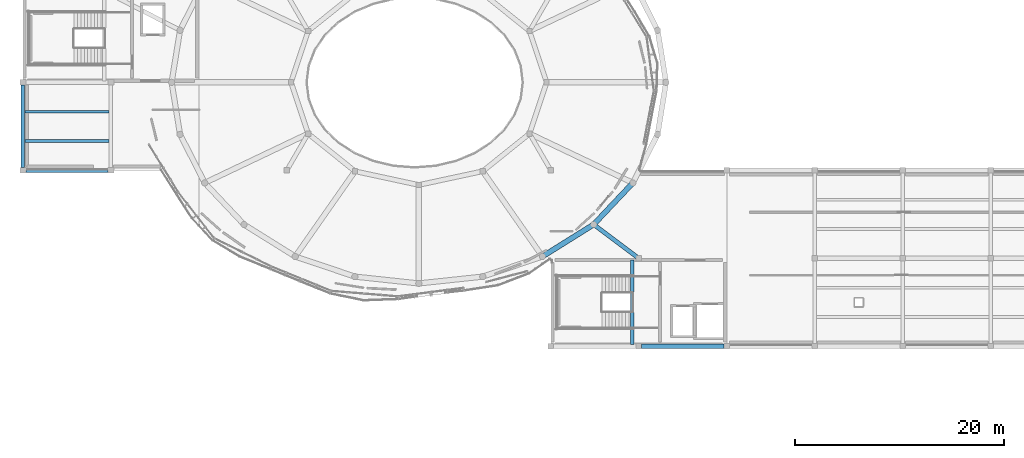
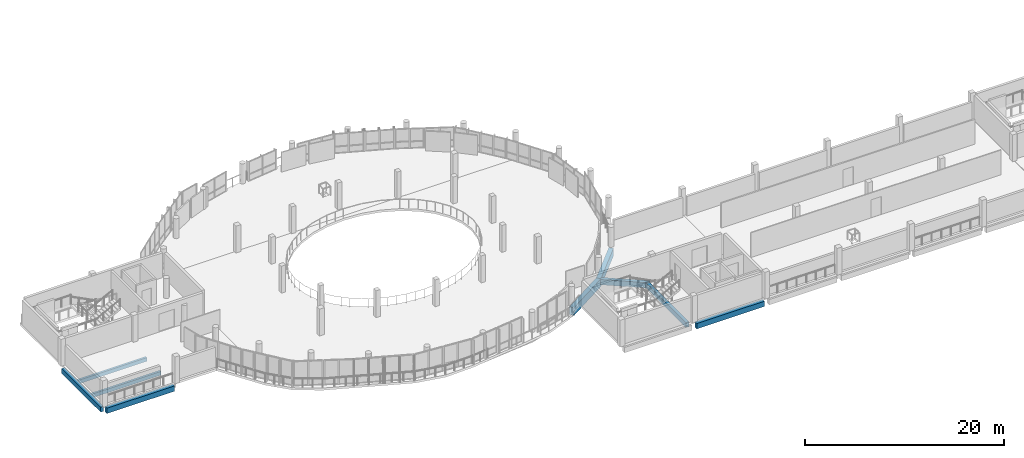
# One storey, part 10 of 43: 9 beams.
"""IFC4 building model written with IfcOpenShell, lengths in metres."""

import ifcopenshell
import ifcopenshell.guid

model = None  # the IFC model being written
_history = None  # IfcOwnerHistory: only IFC2X3 demands one
_inside = {}  # id of a spatial element -> (the spatial element, [elements in it])
_under = {}  # id of a project, library or spatial element -> (it, [spatial elements below it])
_declared = {}  # id of a project -> (the project, [libraries it declares])
_typed = {}  # id of a type object -> (the type object, [elements of that type])
_made_of = {}  # id of a material, layer set ... -> (it, [elements and type objects made of it])


def new_model(schema):
    """Start an empty IFC model of exactly this schema.

    Asked for "IFC4X3", IfcOpenShell would pick the latest addendum, in which some entities
    have other attributes; the version numbers below select the first issue.
    IFC2X3 requires an IfcOwnerHistory on every rooted entity: one is made here for all.
    """
    global model, _history
    if schema == "IFC4X3":
        model = ifcopenshell.file(schema_version=(4, 3, 0, 0))
    else:
        model = ifcopenshell.file(schema=schema)
    _inside.clear()
    _under.clear()
    _declared.clear()
    _typed.clear()
    _made_of.clear()
    _history = None
    if model.schema == "IFC2X3":
        org = make("IfcOrganization", Name="unknown")
        user = make(
            "IfcPersonAndOrganization",
            ThePerson=make("IfcPerson", FamilyName="unknown"),
            TheOrganization=org,
        )
        app = make(
            "IfcApplication",
            ApplicationDeveloper=org,
            Version="unknown",
            ApplicationFullName="unknown",
            ApplicationIdentifier="unknown",
        )
        _history = make(
            "IfcOwnerHistory",
            OwningUser=user,
            OwningApplication=app,
            ChangeAction="ADDED",
            CreationDate=0,
        )
    return model


def make(cls, **values):
    """One entity of the class cls with the attributes given. An attribute that is None is left unset."""
    return model.create_entity(
        cls, **{name: value for name, value in values.items() if value is not None}
    )


def rooted(cls, **values):
    """An entity with a GlobalId (a new one), such as an element, a storey or a relation."""
    return make(cls, GlobalId=ifcopenshell.guid.new(), OwnerHistory=_history, **values)


def si_unit(unit_type, name, prefix=None):
    """IfcSIUnit, for example si_unit("LENGTHUNIT", "METRE", prefix="MILLI")."""
    return make("IfcSIUnit", UnitType=unit_type, Prefix=prefix, Name=name)


def derived_unit(unit_type, elements):
    """IfcDerivedUnit: a product of units, each with its exponent."""
    return make(
        "IfcDerivedUnit",
        Elements=[
            make("IfcDerivedUnitElement", Unit=unit, Exponent=power)
            for unit, power in elements
        ],
        UnitType=unit_type,
    )


def assignment(units):
    """IfcUnitAssignment: the units of a project."""
    return None if units is None else make("IfcUnitAssignment", Units=units)


def point(xyz):
    """IfcCartesianPoint."""
    return None if xyz is None else make("IfcCartesianPoint", Coordinates=xyz)


def direction(xyz):
    """IfcDirection."""
    return None if xyz is None else make("IfcDirection", DirectionRatios=xyz)


def frame(location, z_axis=None, x_axis=None):
    """IfcAxis2Placement3D, a coordinate frame: its origin and axes. An axis left out is left unset."""
    return make(
        "IfcAxis2Placement3D",
        Location=point(location),
        Axis=direction(z_axis),
        RefDirection=direction(x_axis),
    )


def frame_2d(location, x_axis=None):
    """IfcAxis2Placement2D, a coordinate frame in the plane: its origin and x axis."""
    return make(
        "IfcAxis2Placement2D", Location=point(location), RefDirection=direction(x_axis)
    )


def origin():
    """The frame at (0, 0, 0) with its axes left unset."""
    return frame((0.0, 0.0, 0.0))


def origin_2d():
    """The frame at (0, 0) in the plane with its x axis left unset."""
    return frame_2d((0.0, 0.0))


def place(relative_to, where):
    """IfcLocalPlacement: puts the frame where relative to a parent placement (None: the world)."""
    return make(
        "IfcLocalPlacement", PlacementRelTo=relative_to, RelativePlacement=where
    )


def context(
    kind, dimensions, precision=None, world=None, true_north=None, identifier=None
):
    """IfcGeometricRepresentationContext, for example the 3D "Model" context."""
    return make(
        "IfcGeometricRepresentationContext",
        ContextIdentifier=identifier,
        ContextType=kind,
        CoordinateSpaceDimension=dimensions,
        Precision=precision,
        WorldCoordinateSystem=world,
        TrueNorth=true_north,
    )


def subcontext(parent, identifier, kind, view, scale=None):
    """IfcGeometricRepresentationSubContext, for example "Body" below "Model"."""
    return make(
        "IfcGeometricRepresentationSubContext",
        ContextIdentifier=identifier,
        ContextType=kind,
        ParentContext=parent,
        TargetScale=scale,
        TargetView=view,
    )


def project(units=None, contexts=None):
    """IfcProject with its units and contexts."""
    return rooted(
        "IfcProject",
        Name="project",
        RepresentationContexts=contexts,
        UnitsInContext=assignment(units),
    )


def spatial(cls, under=None, at=None, **own):
    """A site, building, storey or space (cls), placed at a placement, below another one or the project."""
    s = rooted(cls, ObjectPlacement=at, **own)
    if under is not None:
        _under.setdefault(under.id(), (under, []))[1].append(s)
    return s


def profile(cls, at=None, kind="AREA", **sizes):
    """A parametric profile (cls). Its sizes go by their IFC names, for example OverallWidth=200.0."""
    return make(cls, ProfileType=kind, Position=at, **sizes)


def rectangle(**sizes):
    """IfcRectangleProfileDef."""
    return profile("IfcRectangleProfileDef", **sizes)


def extrude(swept, where, along, depth):
    """IfcExtrudedAreaSolid: the profile swept, set in the frame where, extruded along a direction by depth."""
    return make(
        "IfcExtrudedAreaSolid",
        SweptArea=swept,
        Position=where,
        ExtrudedDirection=direction(along),
        Depth=depth,
    )


def shape(context_of_items, identifier, shape_type, items):
    """IfcShapeRepresentation: the items that make up one representation, for example the "Body"."""
    return make(
        "IfcShapeRepresentation",
        ContextOfItems=context_of_items,
        RepresentationIdentifier=identifier,
        RepresentationType=shape_type,
        Items=items,
    )


def material(Name=None, Category=None):
    """IfcMaterial."""
    return make("IfcMaterial", Name=Name, Category=Category)


def material_profile(
    of_material, cross_section, Name=None, Category=None, Priority=None
):
    """IfcMaterialProfile: a cross section and its material."""
    return make(
        "IfcMaterialProfile",
        Name=Name,
        Material=of_material,
        Profile=cross_section,
        Priority=Priority,
        Category=Category,
    )


def profile_set(profiles, Name=None, composite=None):
    """IfcMaterialProfileSet."""
    return make(
        "IfcMaterialProfileSet",
        Name=Name,
        MaterialProfiles=profiles,
        CompositeProfile=composite,
    )


def made_of(thing, what):
    """Note that an element or type object is made of a material, layer set ...; save() writes the relation."""
    if what is not None:
        _made_of.setdefault(what.id(), (what, []))[1].append(thing)
    return thing


def type_object(cls, material=None, **own):
    """A type object (cls), such as IfcWallType, which elements share."""
    return made_of(rooted(cls, **own), material)


def element(
    cls,
    number,
    at=None,
    inside=None,
    cuts=None,
    type_object=None,
    material=None,
    context=None,
    identifier="Body",
    shape_type=None,
    held_by="IfcProductDefinitionShape",
    body=None,
    shapes=None,
    **own,
):
    """One element of the class cls, such as IfcWall. Its Tag is "e" and its number.

    at: its placement. inside: the storey or other place that contains it. cuts: it is an
    opening in that element (IfcRelVoidsElement). A single representation is given by context,
    identifier, shape_type and body (its items); several are given by shapes. held_by: the class
    of the entity that holds the representations. save() writes the other relations.
    """
    e = rooted(cls, Tag="e%d" % number, ObjectPlacement=at, **own)
    if body is not None:
        shapes = [shape(context, identifier, shape_type, body)]
    if shapes is not None:
        e.Representation = make(held_by, Representations=shapes)
    if inside is not None:
        _inside.setdefault(inside.id(), (inside, []))[1].append(e)
    if cuts is not None:
        rooted(
            "IfcRelVoidsElement", RelatingBuildingElement=cuts, RelatedOpeningElement=e
        )
    if type_object is not None:
        _typed.setdefault(type_object.id(), (type_object, []))[1].append(e)
    return made_of(e, material)


def aggregate(whole, parts):
    """IfcRelAggregates: a whole, such as a stair, and the parts it consists of."""
    return rooted("IfcRelAggregates", RelatingObject=whole, RelatedObjects=parts)


def save(model, path):
    """Write the relations noted so far, then the file.

    IfcRelAggregates (storeys below a building ...), IfcRelContainedInSpatialStructure (elements
    in a storey), IfcRelDefinesByType, IfcRelAssociatesMaterial and IfcRelDeclares: one each for
    every whole, place, type object, material and project.
    """
    for whole, parts in _under.values():
        aggregate(whole, parts)
    for where, things in _inside.values():
        rooted(
            "IfcRelContainedInSpatialStructure",
            RelatedElements=things,
            RelatingStructure=where,
        )
    for kind, things in _typed.values():
        rooted("IfcRelDefinesByType", RelatedObjects=things, RelatingType=kind)
    for what, things in _made_of.values():
        rooted("IfcRelAssociatesMaterial", RelatedObjects=things, RelatingMaterial=what)
    for by, libraries in _declared.values():
        rooted("IfcRelDeclares", RelatingContext=by, RelatedDefinitions=libraries)
    model.write(path)


model = new_model("IFC4")

# Units and contexts
model_context = context("Model", 3, precision=1e-05, world=origin(), true_north=direction((0.0, 1.0)))
body_context = subcontext(model_context, "Body", "Model", "MODEL_VIEW")
ifc_project = project(units=[si_unit("LENGTHUNIT", "METRE"), si_unit("AREAUNIT", "SQUARE_METRE"), si_unit("VOLUMEUNIT", "CUBIC_METRE"), si_unit("PLANEANGLEUNIT", "RADIAN"), si_unit("MASSUNIT", "GRAM", prefix="KILO"), derived_unit("THERMALTRANSMITTANCEUNIT", [(si_unit("POWERUNIT", "WATT"), 1), (si_unit("LENGTHUNIT", "METRE"), -2), (si_unit("THERMODYNAMICTEMPERATUREUNIT", "KELVIN"), -1)])], contexts=[model_context])

# Site, building, storey
site_placement = place(None, origin())
site = spatial("IfcSite", under=ifc_project, at=site_placement, CompositionType="ELEMENT")
building_placement = place(site_placement, origin())
building = spatial("IfcBuilding", under=site, at=building_placement, Name="Elbkamm Science Centre", CompositionType="ELEMENT")
storey_placement = place(building_placement, frame((0.0, 0.0, 18.300048828125)))
storey = spatial("IfcBuildingStorey", under=building, at=storey_placement, Name="L04", CompositionType="ELEMENT", Elevation=18.300048828125)

# Beams
ifc_material = material(Name="Concrete C40/50", Category="concrete")
ifc_material_profile_1 = material_profile(ifc_material, rectangle(XDim=0.35009765625, YDim=0.60009765625, at=origin_2d()), Name="RC 350x600")
ifc_profile_set_1 = profile_set([ifc_material_profile_1], Name="Concrete C40/50")
beam_type_1 = type_object("IfcBeamType", Name="BM-RC-350x600", PredefinedType="BEAM", material=ifc_profile_set_1)
beam_1_placement = place(storey_placement, frame((25.199951171875, 59.074951171875, -0.580078125), z_axis=(0.0, 1.0, 0.0), x_axis=(-1.0, 0.0, 0.0)))
element("IfcBeam", 1, at=beam_1_placement, inside=storey, type_object=beam_type_1, Name="L04 Primary Y-Girder 001", PredefinedType="BEAM", context=body_context, shape_type="SweptSolid", body=[
    extrude(rectangle(XDim=0.35009765625, YDim=0.60009765625, at=origin_2d()), origin(), (0.0, 0.0, 1.0), 7.85009765625),
])
beam_2_placement = place(storey_placement, frame((83.3798828125, 42.14990234375, -0.300048828125), z_axis=(0.0, 1.0, 0.0), x_axis=(-1.0, 0.0, 0.0)))
element("IfcBeam", 2, at=beam_2_placement, inside=storey, type_object=beam_type_1, Name="L04 ST-C2 Landing Trimmer Beam", PredefinedType="BEAM", context=body_context, shape_type="SweptSolid", body=[
    extrude(rectangle(XDim=0.35009765625, YDim=0.60009765625, at=origin_2d()), origin(), (0.0, 0.0, 1.0), 8.10009765625),
])
ifc_material_profile_2 = material_profile(ifc_material, rectangle(XDim=0.39990234375, YDim=0.64990234375, at=origin_2d()), Name="RC 400x650")
ifc_profile_set_2 = profile_set([ifc_material_profile_2], Name="Concrete C40/50")
beam_type_2 = type_object("IfcBeamType", Name="BM-RC-400x650", PredefinedType="BEAM", material=ifc_profile_set_2)
beam_3_placement = place(storey_placement, frame((84.27490234375, 42.0, -0.60498046875), z_axis=(1.0, 0.0, 0.0), x_axis=(0.0, 1.0, 0.0)))
element("IfcBeam", 3, at=beam_3_placement, inside=storey, type_object=beam_type_2, Name="L04 Primary X-Girder 008", PredefinedType="BEAM", context=body_context, shape_type="SweptSolid", body=[
    extrude(rectangle(XDim=0.39990234375, YDim=0.64990234375, at=origin_2d()), origin(), (0.0, 0.0, 1.0), 7.85009765625),
])
beam_4_placement = place(storey_placement, frame((25.47509765625, 58.800048828125, -0.60498046875), z_axis=(1.0, 0.0, 0.0), x_axis=(0.0, 1.0, 0.0)))
element("IfcBeam", 4, at=beam_4_placement, inside=storey, type_object=beam_type_2, Name="L04 Primary X-Girder 024", PredefinedType="BEAM", context=body_context, shape_type="SweptSolid", body=[
    extrude(rectangle(XDim=0.39990234375, YDim=0.64990234375, at=origin_2d()), origin(), (0.0, 0.0, 1.0), 7.849853515625),
])
beam_5_placement = place(storey_placement, frame((83.82373046875, 50.53173828125, -0.60498046875), z_axis=(-0.80088801, 0.59881415768, 0.0), x_axis=(-0.59881415768, -0.80088801, 0.0)))
element("IfcBeam", 5, at=beam_5_placement, inside=storey, type_object=beam_type_2, Name="L04 Perimeter Ring Tie Girder 067", PredefinedType="BEAM", context=body_context, shape_type="SweptSolid", body=[
    extrude(rectangle(XDim=0.39990234375, YDim=0.64990234375, at=origin_2d()), origin(), (0.0, 0.0, 1.0), 4.94384765625),
])
ifc_material_profile_3 = material_profile(ifc_material, rectangle(XDim=0.5, YDim=0.949951171875, at=origin_2d()), Name="RC 500x950")
ifc_profile_set_3 = profile_set([ifc_material_profile_3], Name="Concrete C40/50")
beam_type_3 = type_object("IfcBeamType", Name="BM-RC-500x950", PredefinedType="BEAM", material=ifc_profile_set_3)
beam_6_placement = place(storey_placement, frame((74.800048828125, 50.572021484375, -0.755126953125), z_axis=(0.848229099729, 0.529629487824, 0.0), x_axis=(-0.529629487824, 0.848229099729, 0.0)))
element("IfcBeam", 6, at=beam_6_placement, inside=storey, type_object=beam_type_3, Name="L04 Elliptical Shell Perimeter Ring Beam 21", PredefinedType="SPANDREL", context=body_context, shape_type="SweptSolid", body=[
    extrude(rectangle(XDim=0.5, YDim=0.949951171875, at=origin_2d()), origin(), (0.0, 0.0, 1.0), 5.762451171875),
])
beam_7_placement = place(storey_placement, frame((79.68798828125, 53.6240234375, -0.755126953125), z_axis=(0.686122314522, 0.727486198848, 0.0), x_axis=(-0.727486198848, 0.686122314522, 0.0)))
element("IfcBeam", 7, at=beam_7_placement, inside=storey, type_object=beam_type_3, Name="L04 Elliptical Shell Perimeter Ring Beam 22", PredefinedType="SPANDREL", context=body_context, shape_type="SweptSolid", body=[
    extrude(rectangle(XDim=0.5, YDim=0.949951171875, at=origin_2d()), origin(), (0.0, 0.0, 1.0), 5.465576171875),
])
ifc_material_profile_4 = material_profile(ifc_material, rectangle(XDim=0.25, YDim=0.449951171875, at=origin_2d()), Name="RC 250x450")
ifc_profile_set_4 = profile_set([ifc_material_profile_4], Name="Concrete C40/50")
beam_type_4 = type_object("IfcBeamType", Name="JST-RC-250x450", PredefinedType="JOIST", material=ifc_profile_set_4)
for number, where, z_axis, x_axis, name in (
    (8, (25.3798828125, 61.60009765625, -0.505126953125), (1.0, 0.0, 0.0), (0.0, 1.0, 0.0), "L04 Secondary Floor Joist 001"),
    (9, (25.3798828125, 64.39990234375, -0.505126953125), (1.0, 0.0, 0.0), (0.0, 1.0, 0.0), "L04 Secondary Floor Joist 002"),
):
    element("IfcBeam", number, at=place(storey_placement, frame(where, z_axis=z_axis, x_axis=x_axis)), inside=storey, type_object=beam_type_4, Name=name, PredefinedType="JOIST", context=body_context, shape_type="SweptSolid", body=[
        extrude(rectangle(XDim=0.25, YDim=0.449951171875, at=origin_2d()), origin(), (0.0, 0.0, 1.0), 8.0400390625),
    ])

save(model, "model.ifc")
